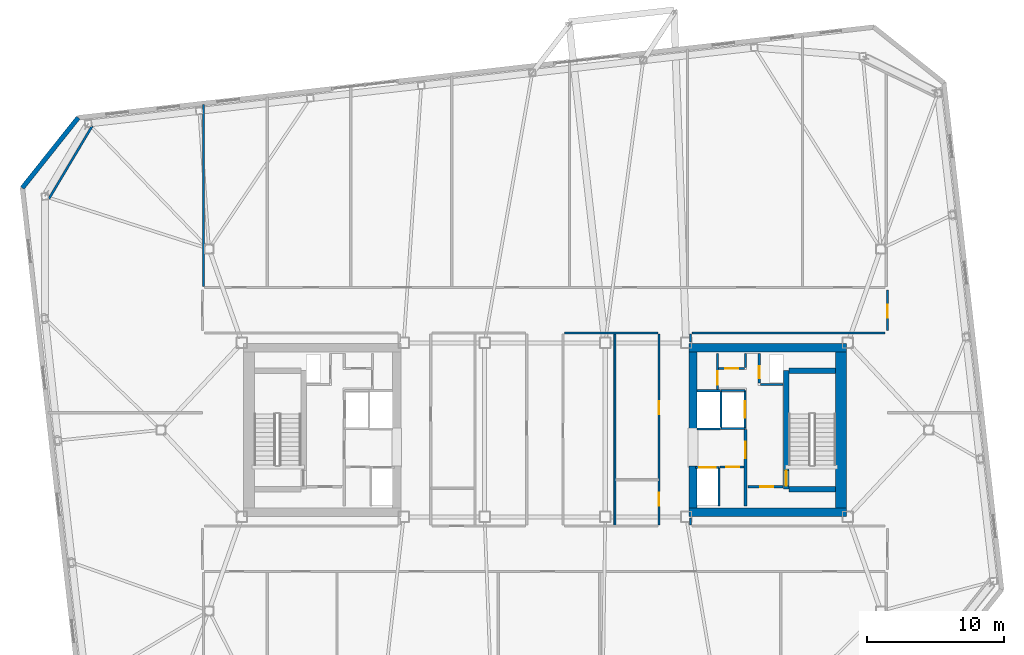
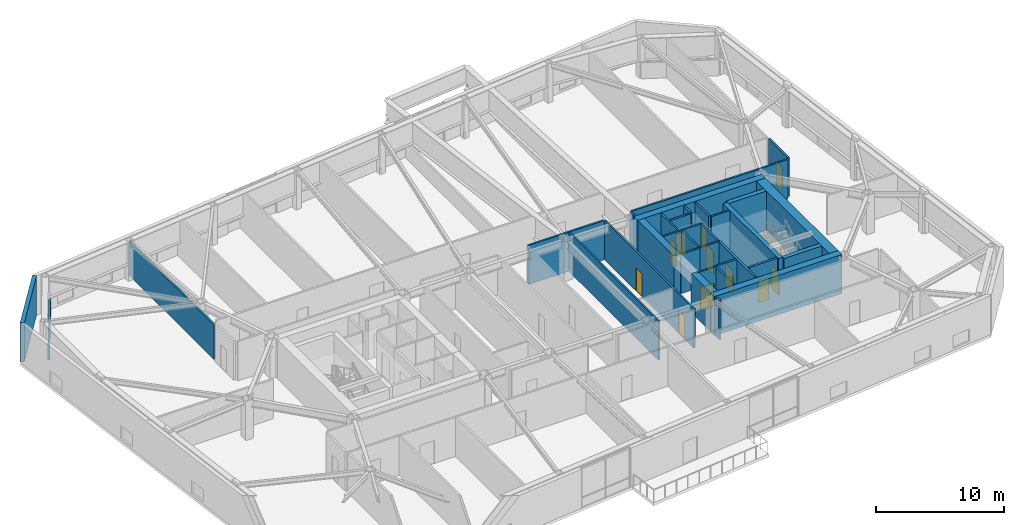
# One storey, part 14 of 20: 34 walls, 12 doors, 12 openings.
"""IFC4 building model written with IfcOpenShell, lengths in metres."""

import ifcopenshell
import ifcopenshell.guid

model = None  # the IFC model being written
_history = None  # IfcOwnerHistory: only IFC2X3 demands one
_inside = {}  # id of a spatial element -> (the spatial element, [elements in it])
_under = {}  # id of a project, library or spatial element -> (it, [spatial elements below it])
_declared = {}  # id of a project -> (the project, [libraries it declares])
_typed = {}  # id of a type object -> (the type object, [elements of that type])
_made_of = {}  # id of a material, layer set ... -> (it, [elements and type objects made of it])


def new_model(schema):
    """Start an empty IFC model of exactly this schema.

    Asked for "IFC4X3", IfcOpenShell would pick the latest addendum, in which some entities
    have other attributes; the version numbers below select the first issue.
    IFC2X3 requires an IfcOwnerHistory on every rooted entity: one is made here for all.
    """
    global model, _history
    if schema == "IFC4X3":
        model = ifcopenshell.file(schema_version=(4, 3, 0, 0))
    else:
        model = ifcopenshell.file(schema=schema)
    _inside.clear()
    _under.clear()
    _declared.clear()
    _typed.clear()
    _made_of.clear()
    _history = None
    if model.schema == "IFC2X3":
        org = make("IfcOrganization", Name="unknown")
        user = make(
            "IfcPersonAndOrganization",
            ThePerson=make("IfcPerson", FamilyName="unknown"),
            TheOrganization=org,
        )
        app = make(
            "IfcApplication",
            ApplicationDeveloper=org,
            Version="unknown",
            ApplicationFullName="unknown",
            ApplicationIdentifier="unknown",
        )
        _history = make(
            "IfcOwnerHistory",
            OwningUser=user,
            OwningApplication=app,
            ChangeAction="ADDED",
            CreationDate=0,
        )
    return model


def make(cls, **values):
    """One entity of the class cls with the attributes given. An attribute that is None is left unset."""
    return model.create_entity(
        cls, **{name: value for name, value in values.items() if value is not None}
    )


def rooted(cls, **values):
    """An entity with a GlobalId (a new one), such as an element, a storey or a relation."""
    return make(cls, GlobalId=ifcopenshell.guid.new(), OwnerHistory=_history, **values)


def si_unit(unit_type, name, prefix=None):
    """IfcSIUnit, for example si_unit("LENGTHUNIT", "METRE", prefix="MILLI")."""
    return make("IfcSIUnit", UnitType=unit_type, Prefix=prefix, Name=name)


def assignment(units):
    """IfcUnitAssignment: the units of a project."""
    return None if units is None else make("IfcUnitAssignment", Units=units)


def point(xyz):
    """IfcCartesianPoint."""
    return None if xyz is None else make("IfcCartesianPoint", Coordinates=xyz)


def direction(xyz):
    """IfcDirection."""
    return None if xyz is None else make("IfcDirection", DirectionRatios=xyz)


def frame(location, z_axis=None, x_axis=None):
    """IfcAxis2Placement3D, a coordinate frame: its origin and axes. An axis left out is left unset."""
    return make(
        "IfcAxis2Placement3D",
        Location=point(location),
        Axis=direction(z_axis),
        RefDirection=direction(x_axis),
    )


def frame_2d(location, x_axis=None):
    """IfcAxis2Placement2D, a coordinate frame in the plane: its origin and x axis."""
    return make(
        "IfcAxis2Placement2D", Location=point(location), RefDirection=direction(x_axis)
    )


def origin():
    """The frame at (0, 0, 0) with its axes left unset."""
    return frame((0.0, 0.0, 0.0))


def place(relative_to, where):
    """IfcLocalPlacement: puts the frame where relative to a parent placement (None: the world)."""
    return make(
        "IfcLocalPlacement", PlacementRelTo=relative_to, RelativePlacement=where
    )


def context(
    kind, dimensions, precision=None, world=None, true_north=None, identifier=None
):
    """IfcGeometricRepresentationContext, for example the 3D "Model" context."""
    return make(
        "IfcGeometricRepresentationContext",
        ContextIdentifier=identifier,
        ContextType=kind,
        CoordinateSpaceDimension=dimensions,
        Precision=precision,
        WorldCoordinateSystem=world,
        TrueNorth=true_north,
    )


def subcontext(parent, identifier, kind, view, scale=None):
    """IfcGeometricRepresentationSubContext, for example "Body" below "Model"."""
    return make(
        "IfcGeometricRepresentationSubContext",
        ContextIdentifier=identifier,
        ContextType=kind,
        ParentContext=parent,
        TargetScale=scale,
        TargetView=view,
    )


def project(units=None, contexts=None):
    """IfcProject with its units and contexts."""
    return rooted(
        "IfcProject",
        Name="project",
        RepresentationContexts=contexts,
        UnitsInContext=assignment(units),
    )


def spatial(cls, under=None, at=None, **own):
    """A site, building, storey or space (cls), placed at a placement, below another one or the project."""
    s = rooted(cls, ObjectPlacement=at, **own)
    if under is not None:
        _under.setdefault(under.id(), (under, []))[1].append(s)
    return s


def profile(cls, at=None, kind="AREA", **sizes):
    """A parametric profile (cls). Its sizes go by their IFC names, for example OverallWidth=200.0."""
    return make(cls, ProfileType=kind, Position=at, **sizes)


def rectangle(**sizes):
    """IfcRectangleProfileDef."""
    return profile("IfcRectangleProfileDef", **sizes)


def extrude(swept, where, along, depth):
    """IfcExtrudedAreaSolid: the profile swept, set in the frame where, extruded along a direction by depth."""
    return make(
        "IfcExtrudedAreaSolid",
        SweptArea=swept,
        Position=where,
        ExtrudedDirection=direction(along),
        Depth=depth,
    )


def shape(context_of_items, identifier, shape_type, items):
    """IfcShapeRepresentation: the items that make up one representation, for example the "Body"."""
    return make(
        "IfcShapeRepresentation",
        ContextOfItems=context_of_items,
        RepresentationIdentifier=identifier,
        RepresentationType=shape_type,
        Items=items,
    )


def material(Name=None, Category=None):
    """IfcMaterial."""
    return make("IfcMaterial", Name=Name, Category=Category)


def layer(
    of_material, thickness, ventilated=None, Name=None, Category=None, Priority=None
):
    """IfcMaterialLayer: one layer of a wall or slab, of a material (None: an air gap)."""
    return make(
        "IfcMaterialLayer",
        Material=of_material,
        LayerThickness=thickness,
        IsVentilated=ventilated,
        Name=Name,
        Category=Category,
        Priority=Priority,
    )


def layer_set(layers, Name=None):
    """IfcMaterialLayerSet."""
    return make("IfcMaterialLayerSet", MaterialLayers=layers, LayerSetName=Name)


def made_of(thing, what):
    """Note that an element or type object is made of a material, layer set ...; save() writes the relation."""
    if what is not None:
        _made_of.setdefault(what.id(), (what, []))[1].append(thing)
    return thing


def type_object(cls, material=None, **own):
    """A type object (cls), such as IfcWallType, which elements share."""
    return made_of(rooted(cls, **own), material)


def element(
    cls,
    number,
    at=None,
    inside=None,
    cuts=None,
    type_object=None,
    material=None,
    context=None,
    identifier="Body",
    shape_type=None,
    held_by="IfcProductDefinitionShape",
    body=None,
    shapes=None,
    **own,
):
    """One element of the class cls, such as IfcWall. Its Tag is "e" and its number.

    at: its placement. inside: the storey or other place that contains it. cuts: it is an
    opening in that element (IfcRelVoidsElement). A single representation is given by context,
    identifier, shape_type and body (its items); several are given by shapes. held_by: the class
    of the entity that holds the representations. save() writes the other relations.
    """
    e = rooted(cls, Tag="e%d" % number, ObjectPlacement=at, **own)
    if body is not None:
        shapes = [shape(context, identifier, shape_type, body)]
    if shapes is not None:
        e.Representation = make(held_by, Representations=shapes)
    if inside is not None:
        _inside.setdefault(inside.id(), (inside, []))[1].append(e)
    if cuts is not None:
        rooted(
            "IfcRelVoidsElement", RelatingBuildingElement=cuts, RelatedOpeningElement=e
        )
    if type_object is not None:
        _typed.setdefault(type_object.id(), (type_object, []))[1].append(e)
    return made_of(e, material)


def fill(opening, filler):
    """IfcRelFillsElement: the door or window that sits in an opening."""
    return rooted(
        "IfcRelFillsElement",
        RelatingOpeningElement=opening,
        RelatedBuildingElement=filler,
    )


def aggregate(whole, parts):
    """IfcRelAggregates: a whole, such as a stair, and the parts it consists of."""
    return rooted("IfcRelAggregates", RelatingObject=whole, RelatedObjects=parts)


def save(model, path):
    """Write the relations noted so far, then the file.

    IfcRelAggregates (storeys below a building ...), IfcRelContainedInSpatialStructure (elements
    in a storey), IfcRelDefinesByType, IfcRelAssociatesMaterial and IfcRelDeclares: one each for
    every whole, place, type object, material and project.
    """
    for whole, parts in _under.values():
        aggregate(whole, parts)
    for where, things in _inside.values():
        rooted(
            "IfcRelContainedInSpatialStructure",
            RelatedElements=things,
            RelatingStructure=where,
        )
    for kind, things in _typed.values():
        rooted("IfcRelDefinesByType", RelatedObjects=things, RelatingType=kind)
    for what, things in _made_of.values():
        rooted("IfcRelAssociatesMaterial", RelatedObjects=things, RelatingMaterial=what)
    for by, libraries in _declared.values():
        rooted("IfcRelDeclares", RelatingContext=by, RelatedDefinitions=libraries)
    model.write(path)


model = new_model("IFC4")

# Units and contexts
model_context = context("Model", 3, precision=1e-05, world=origin(), true_north=direction((0.0, 1.0)))
body_context = subcontext(model_context, "Body", "Model", "MODEL_VIEW")
ifc_project = project(units=[si_unit("LENGTHUNIT", "METRE"), si_unit("AREAUNIT", "SQUARE_METRE"), si_unit("VOLUMEUNIT", "CUBIC_METRE"), si_unit("PLANEANGLEUNIT", "RADIAN"), si_unit("MASSUNIT", "GRAM", prefix="KILO")], contexts=[model_context])

# Site, building, storey
site_placement = place(None, origin())
site = spatial("IfcSite", under=ifc_project, at=site_placement, CompositionType="ELEMENT")
building_placement = place(site_placement, origin())
building = spatial("IfcBuilding", under=site, at=building_placement, Name="Tavrogorsk Clinical Tower", CompositionType="ELEMENT")
storey_placement = place(building_placement, frame((0.0, 0.0, 234.199951171875)))
storey = spatial("IfcBuildingStorey", under=building, at=storey_placement, Name="L54", CompositionType="ELEMENT", Elevation=234.199951171875)

# Wall, opening, door
ifc_material_1 = material(Name="Concrete B60", Category="concrete")
ifc_layer_1 = layer(ifc_material_1, 0.199951171875)
ifc_layer_set_1 = layer_set([ifc_layer_1], Name="Concrete B60")
wall_type_1 = type_object("IfcWallType", Name="CoreFireWall_200", PredefinedType="SOLIDWALL", material=ifc_layer_set_1)
wall_1_placement = place(storey_placement, frame((14.824951171875, -4.139892578125, 0.0), z_axis=(0.0, 0.0, 1.0), x_axis=(1.0, 0.0, 0.0)))
wall_1 = element("IfcWall", 1, at=wall_1_placement, inside=storey, type_object=wall_type_1, Name="L54 Core East South Core Room Fire Wall", PredefinedType="SOLIDWALL", context=body_context, shape_type="SweptSolid", body=[
    extrude(rectangle(XDim=2.554931640625, YDim=0.199951171875, at=frame_2d((1.27734375, 0.0))), origin(), (0.0, 0.0, 1.0), 3.739990234375),
])
opening_1_placement = place(wall_1_placement, frame((0.8798828125, 0.0, 0.0)))
opening_1 = element("IfcOpeningElement", 2, at=opening_1_placement, cuts=wall_1, Name="Opening ID-02", PredefinedType="OPENING", context=body_context, shape_type="SweptSolid", body=[
    extrude(rectangle(XDim=0.949951171875, YDim=2.199951171875, at=frame_2d((0.47509765625, 1.10009765625))), frame((0.0, 0.10986328125, 0.0), z_axis=(0.0, -1.0, 0.0), x_axis=(1.0, 0.0, 0.0)), (0.0, 0.0, 1.0), 0.219970703125),
])
ifc_material_2 = material(Name="Laminated timber leaf on aluminium frame", Category="wood")
door_type_1 = type_object("IfcDoorType", Name="InteriorDoor_ID02_950", OperationType="NOTDEFINED", PredefinedType="DOOR", material=ifc_material_2)
door_1_placement = place(opening_1_placement, origin())
door_1 = element("IfcDoor", 3, at=door_1_placement, inside=storey, type_object=door_type_1, Name="L54 Core East South Core Room Door", OperationType="SINGLE_SWING_RIGHT", OverallHeight=2.199951171875, OverallWidth=0.949951171875, PredefinedType="DOOR", context=body_context, shape_type="SweptSolid", body=[
    extrude(rectangle(XDim=0.949951171875, YDim=2.199951171875, at=frame_2d((0.47509765625, 1.10009765625))), frame((0.0, 0.02490234375, 0.0), z_axis=(0.0, -1.0, 0.0), x_axis=(1.0, 0.0, 0.0)), (0.0, 0.0, 1.0), 0.050048828125),
])
fill(opening_1, door_1)

wall_2_placement = place(storey_placement, frame((14.639892578125, -5.56005859375, 0.0), z_axis=(0.0, 0.0, 1.0), x_axis=(0.0, 1.0, 0.0)))
wall_2 = element("IfcWall", 4, at=wall_2_placement, inside=storey, type_object=wall_type_1, Name="L54 Core East Firefighting Lobby Fire Wall", PredefinedType="SOLIDWALL", context=body_context, shape_type="SweptSolid", body=[
    extrude(rectangle(XDim=5.60009765625, YDim=0.199951171875, at=frame_2d((2.800048828125, 0.0))), origin(), (0.0, 0.0, 1.0), 3.739990234375),
])
opening_2_placement = place(wall_2_placement, frame((3.510009765625, 0.0, 0.0)))
opening_2 = element("IfcOpeningElement", 5, at=opening_2_placement, cuts=wall_2, Name="Opening FD-01", PredefinedType="OPENING", context=body_context, shape_type="SweptSolid", body=[
    extrude(rectangle(XDim=1.199951171875, YDim=2.199951171875, at=frame_2d((0.60009765625, 1.10009765625))), frame((0.0, 0.10986328125, 0.0), z_axis=(0.0, -1.0, 0.0), x_axis=(1.0, 0.0, 0.0)), (0.0, 0.0, 1.0), 0.219970703125),
])
ifc_material_3 = material(Name="Galvanised steel fire-rated door assembly", Category="steel")
door_type_2 = type_object("IfcDoorType", Name="FireDoor_FD01_1200", OperationType="NOTDEFINED", PredefinedType="DOOR", material=ifc_material_3)
door_2_placement = place(opening_2_placement, origin())
door_2 = element("IfcDoor", 6, at=door_2_placement, inside=storey, type_object=door_type_2, Name="L54 Core East Firefighting Lobby Entry Door", OperationType="SINGLE_SWING_RIGHT", OverallHeight=2.199951171875, OverallWidth=1.199951171875, PredefinedType="DOOR", context=body_context, shape_type="SweptSolid", body=[
    extrude(rectangle(XDim=1.199951171875, YDim=2.199951171875, at=frame_2d((0.60009765625, 1.10009765625))), frame((0.0, 0.02490234375, 0.0), z_axis=(0.0, -1.0, 0.0), x_axis=(1.0, 0.0, 0.0)), (0.0, 0.0, 1.0), 0.050048828125),
])
fill(opening_2, door_2)

# Wall
ifc_material_4 = material(Name="Lightweight concrete blockwork B15", Category="masonry")
ifc_layer_2 = layer(ifc_material_4, 0.139892578125)
ifc_layer_set_2 = layer_set([ifc_layer_2], Name="Lightweight concrete blockwork B15")
wall_type_2 = type_object("IfcWallType", Name="PartitionWall_140", PredefinedType="PARTITIONING", material=ifc_layer_set_2)
wall_3_placement = place(storey_placement, frame((5.10009765625, -7.014892578125, 0.0), z_axis=(0.0, 0.0, 1.0), x_axis=(0.0, 1.0, 0.0)))
element("IfcWall", 7, at=wall_3_placement, inside=storey, type_object=wall_type_2, Name="L54 Central Spine Partition 2", PredefinedType="PARTITIONING", context=body_context, shape_type="SweptSolid", body=[
    extrude(rectangle(XDim=14.079833984375, YDim=0.139892578125, at=frame_2d((7.0400390625, 0.0))), origin(), (0.0, 0.0, 1.0), 3.739990234375),
])

# Wall, opening, door
ifc_material_5 = material(Name="Lightweight concrete blockwork B15", Category="masonry")
ifc_layer_3 = layer(ifc_material_5, 0.159912109375)
ifc_layer_set_3 = layer_set([ifc_layer_3], Name="Lightweight concrete blockwork B15")
wall_type_3 = type_object("IfcWallType", Name="PartitionWall_160", PredefinedType="PARTITIONING", material=ifc_layer_set_3)
wall_4_placement = place(storey_placement, frame((12.77490234375, -2.699951171875, 0.0), z_axis=(0.0, 0.0, 1.0), x_axis=(1.0, 0.0, 0.0)))
wall_4 = element("IfcWall", 8, at=wall_4_placement, inside=storey, type_object=wall_type_3, Name="L54 Core East Freed Low-Bank North Partition", PredefinedType="PARTITIONING", context=body_context, shape_type="SweptSolid", body=[
    extrude(rectangle(XDim=1.760009765625, YDim=0.159912109375, at=frame_2d((0.8798828125, 0.0))), origin(), (0.0, 0.0, 1.0), 3.739990234375),
])
opening_3_placement = place(wall_4_placement, frame((0.449951171875, 0.0, 0.0)))
opening_3 = element("IfcOpeningElement", 9, at=opening_3_placement, cuts=wall_4, Name="Opening ID-02", PredefinedType="OPENING", context=body_context, shape_type="SweptSolid", body=[
    extrude(rectangle(XDim=0.949951171875, YDim=2.199951171875, at=frame_2d((0.47509765625, 1.10009765625))), frame((0.0, 0.08984375, 0.0), z_axis=(0.0, -1.0, 0.0), x_axis=(1.0, 0.0, 0.0)), (0.0, 0.0, 1.0), 0.179931640625),
])
door_3_placement = place(opening_3_placement, origin())
door_3 = element("IfcDoor", 10, at=door_3_placement, inside=storey, type_object=door_type_1, Name="L54 Core East Biomedical Alcove Door", OperationType="SINGLE_SWING_LEFT", OverallHeight=2.199951171875, OverallWidth=0.949951171875, PredefinedType="DOOR", context=body_context, shape_type="SweptSolid", body=[
    extrude(rectangle(XDim=0.949951171875, YDim=2.199951171875, at=frame_2d((0.47509765625, 1.10009765625))), frame((0.0, 0.02490234375, 0.0), z_axis=(0.0, -1.0, 0.0), x_axis=(1.0, 0.0, 0.0)), (0.0, 0.0, 1.0), 0.050048828125),
])
fill(opening_3, door_3)

wall_5_placement = place(storey_placement, frame((12.580078125, 2.9599609375, 0.0), z_axis=(0.0, 0.0, 1.0), x_axis=(0.0, 1.0, 0.0)))
wall_5 = element("IfcWall", 11, at=wall_5_placement, inside=storey, type_object=wall_type_3, Name="L54 Core East Linen Closet Wall", PredefinedType="PARTITIONING", context=body_context, shape_type="SweptSolid", body=[
    extrude(rectangle(XDim=2.60009765625, YDim=0.159912109375, at=frame_2d((1.300048828125, 0.0))), origin(), (0.0, 0.0, 1.0), 3.739990234375),
])
opening_4_placement = place(wall_5_placement, frame((0.35009765625, 0.0, 0.0)))
opening_4 = element("IfcOpeningElement", 12, at=opening_4_placement, cuts=wall_5, Name="Opening ID-02", PredefinedType="OPENING", context=body_context, shape_type="SweptSolid", body=[
    extrude(rectangle(XDim=0.949951171875, YDim=2.199951171875, at=frame_2d((0.47509765625, 1.10009765625))), frame((0.0, 0.08984375, 0.0), z_axis=(0.0, -1.0, 0.0), x_axis=(1.0, 0.0, 0.0)), (0.0, 0.0, 1.0), 0.179931640625),
])
door_4_placement = place(opening_4_placement, origin())
door_4 = element("IfcDoor", 13, at=door_4_placement, inside=storey, type_object=door_type_1, Name="L54 Core East Linen Closet Door", OperationType="SINGLE_SWING_RIGHT", OverallHeight=2.199951171875, OverallWidth=0.949951171875, PredefinedType="DOOR", context=body_context, shape_type="SweptSolid", body=[
    extrude(rectangle(XDim=0.949951171875, YDim=2.199951171875, at=frame_2d((0.47509765625, 1.10009765625))), frame((0.0, 0.02490234375, 0.0), z_axis=(0.0, -1.0, 0.0), x_axis=(1.0, 0.0, 0.0)), (0.0, 0.0, 1.0), 0.050048828125),
])
fill(opening_4, door_4)

wall_6_placement = place(storey_placement, frame((12.6650390625, 4.47998046875, 0.0), z_axis=(0.0, 0.0, 1.0), x_axis=(1.0, 0.0, 0.0)))
wall_6 = element("IfcWall", 14, at=wall_6_placement, inside=storey, type_object=wall_type_3, Name="L54 Core East Housekeeping South Wall", PredefinedType="PARTITIONING", context=body_context, shape_type="SweptSolid", body=[
    extrude(rectangle(XDim=1.889892578125, YDim=0.159912109375, at=frame_2d((0.94482421875, 0.0))), origin(), (0.0, 0.0, 1.0), 3.739990234375),
])
opening_5_placement = place(wall_6_placement, frame((0.5, 0.0, 0.0)))
opening_5 = element("IfcOpeningElement", 15, at=opening_5_placement, cuts=wall_6, Name="Opening ID-02", PredefinedType="OPENING", context=body_context, shape_type="SweptSolid", body=[
    extrude(rectangle(XDim=0.949951171875, YDim=2.199951171875, at=frame_2d((0.47509765625, 1.10009765625))), frame((0.0, 0.08984375, 0.0), z_axis=(0.0, -1.0, 0.0), x_axis=(1.0, 0.0, 0.0)), (0.0, 0.0, 1.0), 0.179931640625),
])
door_5_placement = place(opening_5_placement, origin())
door_5 = element("IfcDoor", 16, at=door_5_placement, inside=storey, type_object=door_type_1, Name="L54 Core East Housekeeping Closet Door", OperationType="SINGLE_SWING_LEFT", OverallHeight=2.199951171875, OverallWidth=0.949951171875, PredefinedType="DOOR", context=body_context, shape_type="SweptSolid", body=[
    extrude(rectangle(XDim=0.949951171875, YDim=2.199951171875, at=frame_2d((0.47509765625, 1.10009765625))), frame((0.0, 0.02490234375, 0.0), z_axis=(0.0, -1.0, 0.0), x_axis=(1.0, 0.0, 0.0)), (0.0, 0.0, 1.0), 0.050048828125),
])
fill(opening_5, door_5)

# Walls
wall_7_placement = place(storey_placement, frame((14.639892578125, 4.56494140625, 0.0), z_axis=(0.0, 0.0, 1.0), x_axis=(0.0, 1.0, 0.0)))
element("IfcWall", 17, at=wall_7_placement, inside=storey, type_object=wall_type_3, Name="L54 Core East Housekeeping East Wall", PredefinedType="PARTITIONING", context=body_context, shape_type="SweptSolid", body=[
    extrude(rectangle(XDim=0.9951171875, YDim=0.159912109375, at=frame_2d((0.49755859375, 0.0))), origin(), (0.0, 0.0, 1.0), 3.739990234375),
])
wall_8_placement = place(storey_placement, frame((-33.016357421875, 22.17138671875, 0.0), z_axis=(0.0, 0.0, 1.0), x_axis=(-0.511385266265, -0.859351563359, 0.0)))
element("IfcWall", 18, at=wall_8_placement, inside=storey, type_object=wall_type_3, Name="L54 Corner Exoskeleton Brace Furring Wall 3", PredefinedType="PARTITIONING", context=body_context, shape_type="SweptSolid", body=[
    extrude(rectangle(XDim=6.181884765625, YDim=0.159912109375, at=frame_2d((3.0908203125, 0.0))), origin(), (0.0, 0.0, 1.0), 1.53515625),
])

# Wall, opening, door
wall_9_placement = place(storey_placement, frame((24.97998046875, 10.215087890625, 0.0), z_axis=(0.0, 0.0, 1.0), x_axis=(0.0, -1.0, 0.0)))
wall_9 = element("IfcWall", 19, at=wall_9_placement, inside=storey, type_object=wall_type_3, Name="L54 Corridor Partition 08", PredefinedType="PARTITIONING", context=body_context, shape_type="SweptSolid", body=[
    extrude(rectangle(XDim=2.97998046875, YDim=0.159912109375, at=frame_2d((1.489990234375, 0.0))), origin(), (0.0, 0.0, 1.0), 3.739990234375),
])
opening_6_placement = place(wall_9_placement, frame((1.10009765625, 0.0, 0.0)))
opening_6 = element("IfcOpeningElement", 20, at=opening_6_placement, cuts=wall_9, Name="Opening ID-02", PredefinedType="OPENING", context=body_context, shape_type="SweptSolid", body=[
    extrude(rectangle(XDim=0.949951171875, YDim=2.199951171875, at=frame_2d((0.47509765625, 1.10009765625))), frame((0.0, 0.08984375, 0.0), z_axis=(0.0, -1.0, 0.0), x_axis=(1.0, 0.0, 0.0)), (0.0, 0.0, 1.0), 0.179931640625),
])
door_6_placement = place(opening_6_placement, origin())
door_6 = element("IfcDoor", 21, at=door_6_placement, inside=storey, type_object=door_type_1, Name="L54 E Multidisciplinary Seminar Suite 2 Door", OperationType="SINGLE_SWING_LEFT", OverallHeight=2.199951171875, OverallWidth=0.949951171875, PredefinedType="DOOR", context=body_context, shape_type="SweptSolid", body=[
    extrude(rectangle(XDim=0.949951171875, YDim=2.199951171875, at=frame_2d((0.47509765625, 1.10009765625))), frame((0.0, 0.02490234375, 0.0), z_axis=(0.0, -1.0, 0.0), x_axis=(1.0, 0.0, 0.0)), (0.0, 0.0, 1.0), 0.050048828125),
])
fill(opening_6, door_6)

# Walls
wall_10_placement = place(storey_placement, frame((24.81494140625, 7.070068359375, 0.0), z_axis=(0.0, 0.0, 1.0), x_axis=(-1.0, 0.0, 0.0)))
element("IfcWall", 22, at=wall_10_placement, inside=storey, type_object=wall_type_3, Name="L54 Corridor Partition 09", PredefinedType="PARTITIONING", context=body_context, shape_type="SweptSolid", body=[
    extrude(rectangle(XDim=14.099853515625, YDim=0.159912109375, at=frame_2d((7.0498046875, 0.0))), origin(), (0.0, 0.0, 1.0), 3.739990234375),
])
wall_11_placement = place(storey_placement, frame((10.6298828125, 6.985107421875, 0.0), z_axis=(0.0, 0.0, 1.0), x_axis=(0.0, -1.0, 0.0)))
element("IfcWall", 23, at=wall_11_placement, inside=storey, type_object=wall_type_3, Name="L54 Corridor Partition 10", PredefinedType="PARTITIONING", context=body_context, shape_type="SweptSolid", body=[
    extrude(rectangle(XDim=0.565185546875, YDim=0.159912109375, at=frame_2d((0.28271484375, 0.0))), origin(), (0.0, 0.0, 1.0), 3.739990234375),
])
wall_12_placement = place(storey_placement, frame((10.6298828125, -6.419921875, 0.0), z_axis=(0.0, 0.0, 1.0), x_axis=(0.0, -1.0, 0.0)))
element("IfcWall", 24, at=wall_12_placement, inside=storey, type_object=wall_type_3, Name="L54 Corridor Partition 11", PredefinedType="PARTITIONING", context=body_context, shape_type="SweptSolid", body=[
    extrude(rectangle(XDim=0.51513671875, YDim=0.159912109375, at=frame_2d((0.257568359375, 0.0))), origin(), (0.0, 0.0, 1.0), 3.739990234375),
])
wall_13_placement = place(storey_placement, frame((8.235107421875, 7.070068359375, 0.0), z_axis=(0.0, 0.0, 1.0), x_axis=(-1.0, 0.0, 0.0)))
element("IfcWall", 25, at=wall_13_placement, inside=storey, type_object=wall_type_3, Name="L54 Corridor Partition 15", PredefinedType="PARTITIONING", context=body_context, shape_type="SweptSolid", body=[
    extrude(rectangle(XDim=6.820068359375, YDim=0.159912109375, at=frame_2d((3.41015625, 0.0))), origin(), (0.0, 0.0, 1.0), 3.739990234375),
])

# Wall, openings, doors
wall_14_placement = place(storey_placement, frame((8.320068359375, -6.93505859375, 0.0), z_axis=(0.0, 0.0, 1.0), x_axis=(0.0, 1.0, 0.0)))
wall_14 = element("IfcWall", 26, at=wall_14_placement, inside=storey, type_object=wall_type_3, Name="L54 Corridor Partition 18", PredefinedType="PARTITIONING", context=body_context, shape_type="SweptSolid", body=[
    extrude(rectangle(XDim=13.920166015625, YDim=0.159912109375, at=frame_2d((6.9599609375, 0.0))), origin(), (0.0, 0.0, 1.0), 3.739990234375),
])
opening_7_placement = place(wall_14_placement, frame((1.404052734375, 0.0, 0.0)))
opening_7 = element("IfcOpeningElement", 27, at=opening_7_placement, cuts=wall_14, Name="Opening ID-02", PredefinedType="OPENING", context=body_context, shape_type="SweptSolid", body=[
    extrude(rectangle(XDim=0.949951171875, YDim=2.199951171875, at=frame_2d((0.47509765625, 1.10009765625))), frame((0.0, 0.08984375, 0.0), z_axis=(0.0, -1.0, 0.0), x_axis=(1.0, 0.0, 0.0)), (0.0, 0.0, 1.0), 0.179931640625),
])
opening_8_placement = place(wall_14_placement, frame((8.060791015625, 0.0, 0.0)))
opening_8 = element("IfcOpeningElement", 28, at=opening_8_placement, cuts=wall_14, Name="Opening ID-02", PredefinedType="OPENING", context=body_context, shape_type="SweptSolid", body=[
    extrude(rectangle(XDim=0.949951171875, YDim=2.199951171875, at=frame_2d((0.47509765625, 1.10009765625))), frame((0.0, 0.08984375, 0.0), z_axis=(0.0, -1.0, 0.0), x_axis=(1.0, 0.0, 0.0)), (0.0, 0.0, 1.0), 0.179931640625),
])
door_7_placement = place(opening_7_placement, origin())
door_7 = element("IfcDoor", 29, at=door_7_placement, inside=storey, type_object=door_type_1, Name="L54 Staff & Visitor Accessible WC Door", OperationType="SINGLE_SWING_RIGHT", OverallHeight=2.199951171875, OverallWidth=0.949951171875, PredefinedType="DOOR", context=body_context, shape_type="SweptSolid", body=[
    extrude(rectangle(XDim=0.949951171875, YDim=2.199951171875, at=frame_2d((0.47509765625, 1.10009765625))), frame((0.0, 0.02490234375, 0.0), z_axis=(0.0, -1.0, 0.0), x_axis=(1.0, 0.0, 0.0)), (0.0, 0.0, 1.0), 0.050048828125),
])
fill(opening_7, door_7)
door_8_placement = place(opening_8_placement, origin())
door_8 = element("IfcDoor", 30, at=door_8_placement, inside=storey, type_object=door_type_1, Name="L54 Resident Clinician Study Door", OperationType="SINGLE_SWING_LEFT", OverallHeight=2.199951171875, OverallWidth=0.949951171875, PredefinedType="DOOR", context=body_context, shape_type="SweptSolid", body=[
    extrude(rectangle(XDim=0.949951171875, YDim=2.199951171875, at=frame_2d((0.47509765625, 1.10009765625))), frame((0.0, 0.02490234375, 0.0), z_axis=(0.0, -1.0, 0.0), x_axis=(1.0, 0.0, 0.0)), (0.0, 0.0, 1.0), 0.050048828125),
])
fill(opening_8, door_8)

# Walls
wall_15_placement = place(storey_placement, frame((-24.89990234375, 10.465087890625, 0.0), z_axis=(0.0, 0.0, 1.0), x_axis=(0.0, 1.0, 0.0)))
element("IfcWall", 31, at=wall_15_placement, inside=storey, type_object=wall_type_3, Name="L54 NW Wing Closure Partition", PredefinedType="PARTITIONING", context=body_context, shape_type="SweptSolid", body=[
    extrude(rectangle(XDim=13.28125, YDim=0.159912109375, at=frame_2d((6.640625, 0.0))), origin(), (0.0, 0.0, 1.0), 3.28515625),
])
ifc_material_6 = material(Name="Precast concrete B45 with limestone cladding", Category="masonry")
ifc_layer_4 = layer(ifc_material_6, 0.340087890625)
ifc_layer_set_4 = layer_set([ifc_layer_4], Name="Precast concrete B45 with limestone cladding")
wall_type_4 = type_object("IfcWallType", Name="PrecastLimestoneWall_340", PredefinedType="STANDARD", material=ifc_layer_set_4)
wall_16_placement = place(storey_placement, frame((-34.0419921875, 22.775146484375, 0.0), z_axis=(0.0, 0.0, 1.0), x_axis=(-0.62252823689, -0.78259733853, 0.0)))
element("IfcWall", 32, at=wall_16_placement, inside=storey, type_object=wall_type_4, Name="L54 Chamfered Corner Wall 3", PredefinedType="STANDARD", context=body_context, shape_type="SweptSolid", body=[
    extrude(rectangle(XDim=6.5478515625, YDim=0.340087890625, at=frame_2d((3.27392578125, 0.0))), origin(), (0.0, 0.0, 1.0), 3.739990234375),
])

# Wall, opening, door
ifc_material_7 = material(Name="Lightweight concrete blockwork B25", Category="masonry")
ifc_layer_5 = layer(ifc_material_7, 0.159912109375)
ifc_layer_set_5 = layer_set([ifc_layer_5], Name="Lightweight concrete blockwork B25")
wall_type_5 = type_object("IfcWallType", Name="ShaftWall_160", PredefinedType="PARTITIONING", material=ifc_layer_set_5)
wall_17_placement = place(storey_placement, frame((14.60009765625, 0.1201171875, 0.0), z_axis=(0.0, 0.0, 1.0), x_axis=(0.0, 1.0, 0.0)))
wall_17 = element("IfcWall", 33, at=wall_17_placement, inside=storey, type_object=wall_type_5, Name="L54 FFL-E Firefighting Lift Front Wall", PredefinedType="PARTITIONING", context=body_context, shape_type="SweptSolid", body=[
    extrude(rectangle(XDim=2.739990234375, YDim=0.159912109375, at=frame_2d((1.3701171875, 0.0))), origin(), (0.0, 0.0, 1.0), 3.739990234375),
])
opening_9_placement = place(wall_17_placement, frame((0.77001953125, 0.0, 0.0)))
opening_9 = element("IfcOpeningElement", 34, at=opening_9_placement, cuts=wall_17, Name="Opening LD", PredefinedType="OPENING", context=body_context, shape_type="SweptSolid", body=[
    extrude(rectangle(XDim=1.199951171875, YDim=2.199951171875, at=frame_2d((0.60009765625, 1.10009765625))), frame((0.0, 0.08984375, 0.0), z_axis=(0.0, -1.0, 0.0), x_axis=(1.0, 0.0, 0.0)), (0.0, 0.0, 1.0), 0.179931640625),
])
ifc_material_8 = material(Name="Brushed stainless steel AISI 304 sliding doors", Category="steel")
door_type_3 = type_object("IfcDoorType", Name="LiftLandingDoor_LD_1200", OperationType="SLIDING_TO_LEFT", PredefinedType="DOOR", material=ifc_material_8)
door_9_placement = place(opening_9_placement, origin())
door_9 = element("IfcDoor", 35, at=door_9_placement, inside=storey, type_object=door_type_3, Name="L54 FFL-E Sliding Lift Landing Door", OperationType="SLIDING_TO_LEFT", OverallHeight=2.199951171875, OverallWidth=1.199951171875, PredefinedType="DOOR", context=body_context, shape_type="SweptSolid", body=[
    extrude(rectangle(XDim=1.199951171875, YDim=2.199951171875, at=frame_2d((0.60009765625, 1.10009765625))), frame((0.0, 0.02490234375, 0.0), z_axis=(0.0, -1.0, 0.0), x_axis=(1.0, 0.0, 0.0)), (0.0, 0.0, 1.0), 0.050048828125),
])
fill(opening_9, door_9)

# Walls
for number, where, z_axis, x_axis, name in (
    (36, (12.840087890625, 0.10009765625, 0.0), (0.0, 0.0, 1.0), (1.0, 0.0, 0.0), "L54 FFL-E Shaft South Wall"),
    (37, (12.840087890625, 2.8798828125, 0.0), (0.0, 0.0, 1.0), (1.0, 0.0, 0.0), "L54 FFL-E Shaft North Wall"),
):
    element("IfcWall", number, at=place(storey_placement, frame(where, z_axis=z_axis, x_axis=x_axis)), inside=storey, type_object=wall_type_5, Name=name, PredefinedType="PARTITIONING", context=body_context, shape_type="SweptSolid", body=[
        extrude(rectangle(XDim=1.760009765625, YDim=0.159912109375, at=frame_2d((0.8798828125, 0.0))), origin(), (0.0, 0.0, 1.0), 3.739990234375),
    ])
wall_18_placement = place(storey_placement, frame((12.840087890625, 0.179931640625, 0.0), z_axis=(0.0, 0.0, 1.0), x_axis=(0.0, 1.0, 0.0)))
element("IfcWall", 38, at=wall_18_placement, inside=storey, type_object=wall_type_5, Name="L54 FFL-E Shaft Back Wall", PredefinedType="PARTITIONING", context=body_context, shape_type="SweptSolid", body=[
    extrude(rectangle(XDim=2.6201171875, YDim=0.159912109375, at=frame_2d((1.31005859375, 0.0))), origin(), (0.0, 0.0, 1.0), 3.739990234375),
])

# Wall, opening, door
wall_19_placement = place(storey_placement, frame((10.969970703125, -2.75, 0.0), z_axis=(0.0, 0.0, 1.0), x_axis=(1.0, 0.0, 0.0)))
wall_19 = element("IfcWall", 39, at=wall_19_placement, inside=storey, type_object=wall_type_5, Name="L54 LP-M2 Lift Shaft Portal Wall", PredefinedType="PARTITIONING", context=body_context, shape_type="SweptSolid", body=[
    extrude(rectangle(XDim=1.760009765625, YDim=0.159912109375, at=frame_2d((0.8798828125, 0.0))), origin(), (0.0, 0.0, 1.0), 3.739990234375),
])
opening_10_placement = place(wall_19_placement, frame((0.280029296875, 0.0, 0.0)))
opening_10 = element("IfcOpeningElement", 40, at=opening_10_placement, cuts=wall_19, Name="Opening LD", PredefinedType="OPENING", context=body_context, shape_type="SweptSolid", body=[
    extrude(rectangle(XDim=1.199951171875, YDim=2.199951171875, at=frame_2d((0.60009765625, 1.10009765625))), frame((0.0, 0.08984375, 0.0), z_axis=(0.0, -1.0, 0.0), x_axis=(1.0, 0.0, 0.0)), (0.0, 0.0, 1.0), 0.179931640625),
])
door_10_placement = place(opening_10_placement, origin())
door_10 = element("IfcDoor", 41, at=door_10_placement, inside=storey, type_object=door_type_3, Name="L54 LP-M2 Sliding Lift Landing Door", OperationType="SLIDING_TO_LEFT", OverallHeight=2.199951171875, OverallWidth=1.199951171875, PredefinedType="DOOR", context=body_context, shape_type="SweptSolid", body=[
    extrude(rectangle(XDim=1.199951171875, YDim=2.199951171875, at=frame_2d((0.60009765625, 1.10009765625))), frame((0.0, 0.02490234375, 0.0), z_axis=(0.0, -1.0, 0.0), x_axis=(1.0, 0.0, 0.0)), (0.0, 0.0, 1.0), 0.050048828125),
])
fill(opening_10, door_10)

# Walls
for number, where, z_axis, x_axis, name in (
    (42, (11.10009765625, 0.06005859375, 0.0), (0.0, 0.0, 1.0), (1.0, 0.0, 0.0), "L54 LP-H2 High-Zone Lift Portal Wall"),
    (43, (11.10009765625, 2.860107421875, 0.0), (0.0, 0.0, 1.0), (1.0, 0.0, 0.0), "L54 LP-H2 High-Zone Lift Rear Wall"),
):
    element("IfcWall", number, at=place(storey_placement, frame(where, z_axis=z_axis, x_axis=x_axis)), inside=storey, type_object=wall_type_5, Name=name, PredefinedType="PARTITIONING", context=body_context, shape_type="SweptSolid", body=[
        extrude(rectangle(XDim=1.719970703125, YDim=0.159912109375, at=frame_2d((0.85986328125, 0.0))), origin(), (0.0, 0.0, 1.0), 3.739990234375),
    ])

# Wall, opening, door
wall_20_placement = place(storey_placement, frame((15.639892578125, 3.405029296875, 0.0), z_axis=(0.0, 0.0, 1.0), x_axis=(0.0, 1.0, 0.0)))
wall_20 = element("IfcWall", 44, at=wall_20_placement, inside=storey, type_object=wall_type_5, Name="L54 Core East Riser West Wall", PredefinedType="PARTITIONING", context=body_context, shape_type="SweptSolid", body=[
    extrude(rectangle(XDim=2.155029296875, YDim=0.159912109375, at=frame_2d((1.07763671875, 0.0))), origin(), (0.0, 0.0, 1.0), 3.739990234375),
])
opening_11_placement = place(wall_20_placement, frame((0.35009765625, 0.0, 0.0)))
opening_11 = element("IfcOpeningElement", 45, at=opening_11_placement, cuts=wall_20, Name="Opening FD-02", PredefinedType="OPENING", context=body_context, shape_type="SweptSolid", body=[
    extrude(rectangle(XDim=0.89990234375, YDim=2.199951171875, at=frame_2d((0.449951171875, 1.10009765625))), frame((0.0, 0.08984375, 0.0), z_axis=(0.0, -1.0, 0.0), x_axis=(1.0, 0.0, 0.0)), (0.0, 0.0, 1.0), 0.179931640625),
])
ifc_material_9 = material(Name="Galvanised steel fire-rated door assembly", Category="steel")
door_type_4 = type_object("IfcDoorType", Name="FireDoor_FD02_900", OperationType="NOTDEFINED", PredefinedType="DOOR", material=ifc_material_9)
door_11_placement = place(opening_11_placement, origin())
door_11 = element("IfcDoor", 46, at=door_11_placement, inside=storey, type_object=door_type_4, Name="L54 Core East Electrical Riser Access Door", OperationType="SINGLE_SWING_LEFT", OverallHeight=2.199951171875, OverallWidth=0.89990234375, PredefinedType="DOOR", context=body_context, shape_type="SweptSolid", body=[
    extrude(rectangle(XDim=0.89990234375, YDim=2.199951171875, at=frame_2d((0.449951171875, 1.10009765625))), frame((0.0, 0.02490234375, 0.0), z_axis=(0.0, -1.0, 0.0), x_axis=(1.0, 0.0, 0.0)), (0.0, 0.0, 1.0), 0.050048828125),
])
fill(opening_11, door_11)

# Walls
wall_21_placement = place(storey_placement, frame((15.72509765625, 3.320068359375, 0.0), z_axis=(0.0, 0.0, 1.0), x_axis=(1.0, 0.0, 0.0)))
element("IfcWall", 47, at=wall_21_placement, inside=storey, type_object=wall_type_5, Name="L54 Core East Riser South Wall", PredefinedType="PARTITIONING", context=body_context, shape_type="SweptSolid", body=[
    extrude(rectangle(XDim=1.65478515625, YDim=0.159912109375, at=frame_2d((0.827392578125, 0.0))), origin(), (0.0, 0.0, 1.0), 3.739990234375),
])
wall_22_placement = place(storey_placement, frame((12.68994140625, -5.56005859375, 0.0), z_axis=(0.0, 0.0, 1.0), x_axis=(0.0, 1.0, 0.0)))
element("IfcWall", 48, at=wall_22_placement, inside=storey, type_object=wall_type_5, Name="L54 Core East Freed Low-Bank Shaft Divider", PredefinedType="PARTITIONING", context=body_context, shape_type="SweptSolid", body=[
    extrude(rectangle(XDim=2.775146484375, YDim=0.159912109375, at=frame_2d((1.3876953125, 0.0))), origin(), (0.0, 0.0, 1.0), 3.739990234375),
])

# Wall, opening, door
ifc_material_10 = material(Name="Concrete B80", Category="concrete")
ifc_layer_6 = layer(ifc_material_10, 0.39990234375)
ifc_layer_set_6 = layer_set([ifc_layer_6], Name="Concrete B80")
wall_type_6 = type_object("IfcWallType", Name="ShearWall_400", PredefinedType="SHEAR", material=ifc_layer_set_6)
wall_23_placement = place(storey_placement, frame((17.60009765625, -4.324951171875, 0.0), z_axis=(0.0, 0.0, 1.0), x_axis=(0.0, 1.0, 0.0)))
wall_23 = element("IfcWall", 49, at=wall_23_placement, inside=storey, type_object=wall_type_6, Name="L54 Core East Stair Shaft Inner Shear Wall", PredefinedType="SHEAR", context=body_context, shape_type="SweptSolid", body=[
    extrude(rectangle(XDim=8.64990234375, YDim=0.39990234375, at=frame_2d((4.324951171875, 0.0))), origin(), (0.0, 0.0, 1.0), 3.739990234375),
])
opening_12_placement = place(wall_23_placement, frame((0.25, 0.0, 0.0)))
opening_12 = element("IfcOpeningElement", 50, at=opening_12_placement, cuts=wall_23, Name="Opening SD-01", PredefinedType="OPENING", context=body_context, shape_type="SweptSolid", body=[
    extrude(rectangle(XDim=1.10009765625, YDim=2.199951171875, at=frame_2d((0.550048828125, 1.10009765625))), frame((0.0, 0.2099609375, 0.0), z_axis=(0.0, -1.0, 0.0), x_axis=(1.0, 0.0, 0.0)), (0.0, 0.0, 1.0), 0.419921875),
])
ifc_material_11 = material(Name="Galvanised steel smoke-tight fire door assembly", Category="steel")
door_type_5 = type_object("IfcDoorType", Name="StairFireDoor_SD01_1100", OperationType="NOTDEFINED", PredefinedType="DOOR", material=ifc_material_11)
door_12_placement = place(opening_12_placement, origin())
door_12 = element("IfcDoor", 51, at=door_12_placement, inside=storey, type_object=door_type_5, Name="L54 ST-E Exit Stair Door", OperationType="SINGLE_SWING_RIGHT", OverallHeight=2.199951171875, OverallWidth=1.10009765625, PredefinedType="DOOR", context=body_context, shape_type="SweptSolid", body=[
    extrude(rectangle(XDim=1.10009765625, YDim=2.199951171875, at=frame_2d((0.550048828125, 1.10009765625))), frame((0.0, 0.02490234375, 0.0), z_axis=(0.0, -1.0, 0.0), x_axis=(1.0, 0.0, 0.0)), (0.0, 0.0, 1.0), 0.050048828125),
])
fill(opening_12, door_12)

# Walls
for number, where, z_axis, x_axis, name in (
    (52, (17.800048828125, -4.324951171875, 0.0), (0.0, 0.0, 1.0), (1.0, 0.0, 0.0), "L54 Core East Stair Shaft South Shear Wall"),
    (53, (17.800048828125, 4.324951171875, 0.0), (0.0, 0.0, 1.0), (1.0, 0.0, 0.0), "L54 Core East Stair Shaft North Shear Wall"),
):
    element("IfcWall", number, at=place(storey_placement, frame(where, z_axis=z_axis, x_axis=x_axis)), inside=storey, type_object=wall_type_6, Name=name, PredefinedType="SHEAR", context=body_context, shape_type="SweptSolid", body=[
        extrude(rectangle(XDim=3.39990234375, YDim=0.39990234375, at=frame_2d((1.699951171875, 0.0))), origin(), (0.0, 0.0, 1.0), 3.739990234375),
    ])
ifc_material_12 = material(Name="Concrete B80", Category="concrete")
ifc_layer_7 = layer(ifc_material_12, 0.60009765625)
ifc_layer_set_7 = layer_set([ifc_layer_7], Name="Concrete B80")
wall_type_7 = type_object("IfcWallType", Name="ShearWall_600", PredefinedType="SHEAR", material=ifc_layer_set_7)
for number, where, z_axis, x_axis, name in (
    (54, (10.5, 6.0, 0.0), (0.0, 0.0, 1.0), (1.0, 0.0, 0.0), "L54 Core East North Shear Wall"),
    (55, (10.5, -6.0, 0.0), (0.0, 0.0, 1.0), (1.0, 0.0, 0.0), "L54 Core East South Shear Wall"),
):
    element("IfcWall", number, at=place(storey_placement, frame(where, z_axis=z_axis, x_axis=x_axis)), inside=storey, type_object=wall_type_7, Name=name, PredefinedType="SHEAR", context=body_context, shape_type="SweptSolid", body=[
        extrude(rectangle(XDim=11.5, YDim=0.60009765625, at=frame_2d((5.75, 0.0))), origin(), (0.0, 0.0, 1.0), 3.739990234375),
    ])
wall_24_placement = place(storey_placement, frame((10.800048828125, -5.699951171875, 0.0), z_axis=(0.0, 0.0, 1.0), x_axis=(0.0, 1.0, 0.0)))
element("IfcWall", 56, at=wall_24_placement, inside=storey, type_object=wall_type_7, Name="L54 Core East Inner South Pier", PredefinedType="SHEAR", context=body_context, shape_type="SweptSolid", body=[
    extrude(rectangle(XDim=3.050048828125, YDim=0.60009765625, at=frame_2d((1.52490234375, 0.0))), origin(), (0.0, 0.0, 1.0), 3.739990234375),
])
wall_25_placement = place(storey_placement, frame((10.800048828125, 0.050048828125, 0.0), z_axis=(0.0, 0.0, 1.0), x_axis=(0.0, 1.0, 0.0)))
element("IfcWall", 57, at=wall_25_placement, inside=storey, type_object=wall_type_7, Name="L54 Core East Inner North Pier", PredefinedType="SHEAR", context=body_context, shape_type="SweptSolid", body=[
    extrude(rectangle(XDim=5.64990234375, YDim=0.60009765625, at=frame_2d((2.824951171875, 0.0))), origin(), (0.0, 0.0, 1.0), 3.739990234375),
])
ifc_material_13 = material(Name="Concrete B80", Category="concrete")
ifc_layer_8 = layer(ifc_material_13, 0.800048828125)
ifc_layer_set_8 = layer_set([ifc_layer_8], Name="Concrete B80")
wall_type_8 = type_object("IfcWallType", Name="ShearWall_800", PredefinedType="SHEAR", material=ifc_layer_set_8)
wall_26_placement = place(storey_placement, frame((21.60009765625, -5.699951171875, 0.0), z_axis=(0.0, 0.0, 1.0), x_axis=(0.0, 1.0, 0.0)))
element("IfcWall", 58, at=wall_26_placement, inside=storey, type_object=wall_type_8, Name="L54 Core East End Shear Wall", PredefinedType="SHEAR", context=body_context, shape_type="SweptSolid", body=[
    extrude(rectangle(XDim=11.39990234375, YDim=0.800048828125, at=frame_2d((5.699951171875, 0.0))), origin(), (0.0, 0.0, 1.0), 3.739990234375),
])

save(model, "model.ifc")
